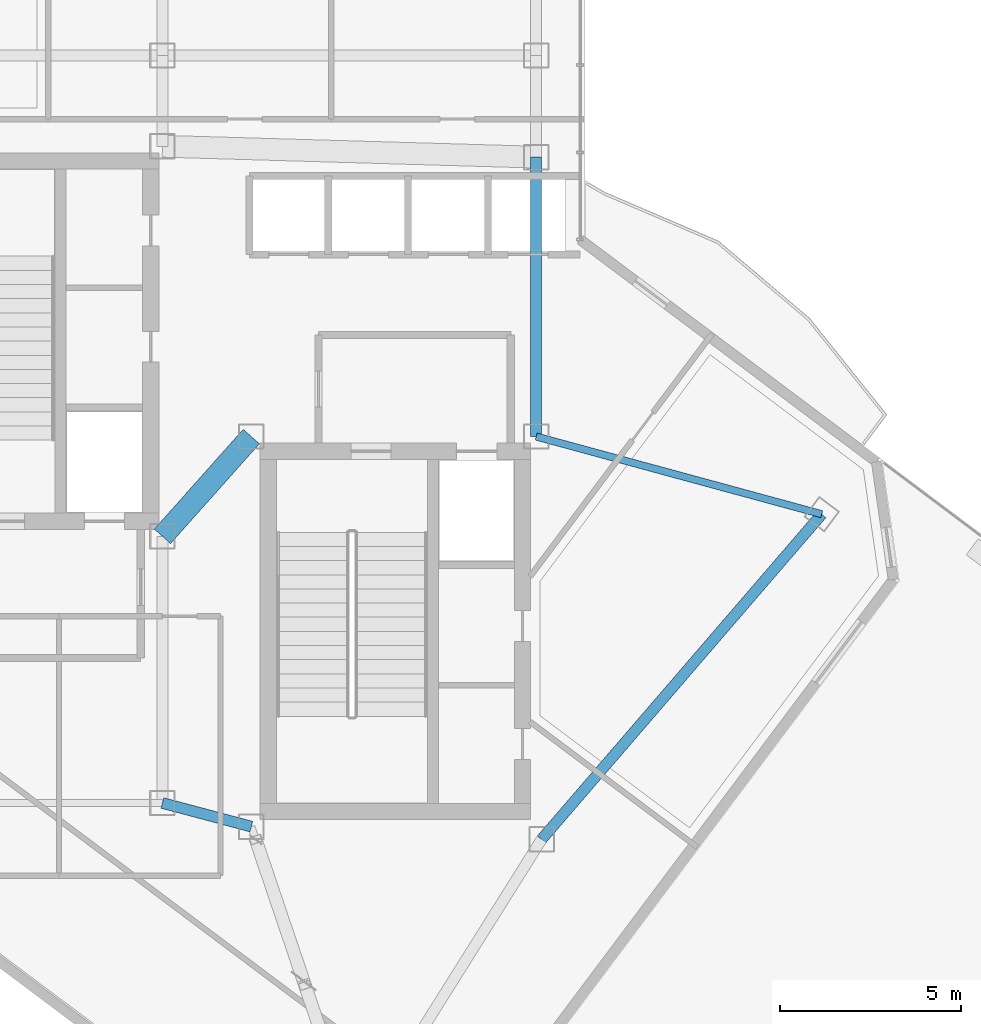
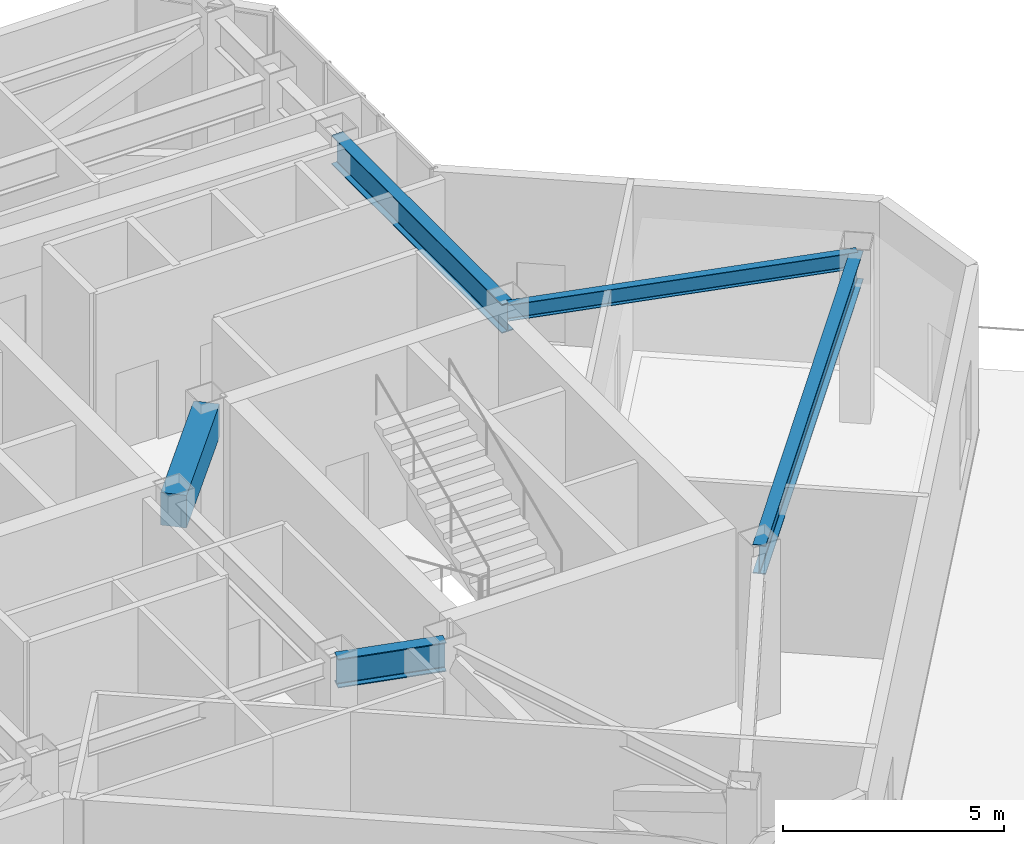
# One storey, part 9 of 21: 5 beams.
"""IFC4 building model written with IfcOpenShell, lengths in metres."""

from ifc_helpers import new_model, si_unit, direction, frame, origin, origin_2d, place, context, subcontext, project, spatial, rectangle, i_section, extrude, material, material_profile, profile_set, type_object, element, save


model = new_model("IFC4")

# Units and contexts
model_context = context("Model", 3, precision=1e-05, world=origin(), true_north=direction((0.0, 1.0)))
body_context = subcontext(model_context, "Body", "Model", "MODEL_VIEW")
ifc_project = project(units=[si_unit("LENGTHUNIT", "METRE"), si_unit("AREAUNIT", "SQUARE_METRE"), si_unit("VOLUMEUNIT", "CUBIC_METRE"), si_unit("PLANEANGLEUNIT", "RADIAN"), si_unit("MASSUNIT", "GRAM", prefix="KILO")], contexts=[model_context])

# Site, building, storey
site_placement = place(None, origin())
site = spatial("IfcSite", under=ifc_project, at=site_placement, CompositionType="ELEMENT")
building_placement = place(site_placement, origin())
building = spatial("IfcBuilding", under=site, at=building_placement, Name="Hatsunagi Terrace Concourse", CompositionType="ELEMENT")
storey_placement = place(building_placement, frame((0.0, 0.0, 234.75)))
storey = spatial("IfcBuildingStorey", under=building, at=storey_placement, Name="L62", CompositionType="ELEMENT", Elevation=234.75)

# Beams
ifc_material_1 = material(Name="Concrete Fc42", Category="concrete")
ifc_material_profile_1 = material_profile(ifc_material_1, rectangle(XDim=0.60009765625, YDim=0.89990234375, at=origin_2d()), Name="RC-600x900")
ifc_profile_set_1 = profile_set([ifc_material_profile_1], Name="Concrete Fc42")
beam_type_1 = type_object("IfcBeamType", Name="CoreCouplingBeam_RC_600x900", PredefinedType="BEAM", material=ifc_profile_set_1)
beam_1_placement = place(storey_placement, frame((33.35009765625, 32.550048828125, 4.10009765625), z_axis=(0.665198651008, 0.746666427997, 0.0), x_axis=(-0.746666427997, 0.665198651008, 0.0)))
element("IfcBeam", 1, at=beam_1_placement, inside=storey, type_object=beam_type_1, Name="Beam CB-03 CB-L62-1", PredefinedType="BEAM", context=body_context, shape_type="SweptSolid", body=[
    extrude(rectangle(XDim=0.60009765625, YDim=0.89990234375, at=origin_2d()), origin(), (0.0, 0.0, 1.0), 3.68310546875),
])
ifc_material_2 = material(Name="Steel SN490B", Category="steel")
ifc_material_profile_2 = material_profile(ifc_material_2, i_section(OverallWidth=0.199951171875, OverallDepth=0.449951171875, WebThickness=0.009033203125, FlangeThickness=0.013916015625, FilletRadius=0.01611328125, at=origin_2d()), Name="H-450x200x9x14")
ifc_profile_set_2 = profile_set([ifc_material_profile_2], Name="Steel SN490B")
beam_type_2 = type_object("IfcBeamType", Name="PerimeterSpandrel_H_450x200", PredefinedType="SPANDREL", material=ifc_profile_set_2)
beam_2_placement = place(storey_placement, frame((43.64990234375, 35.300048828125, 4.324951171875), z_axis=(0.964958359286, -0.262403057994, 0.0), x_axis=(0.262403057994, 0.964958359286, 0.0)))
element("IfcBeam", 2, at=beam_2_placement, inside=storey, type_object=beam_type_2, Name="Beam SP-02 BM-L62-SE-NE0", PredefinedType="SPANDREL", context=body_context, shape_type="SweptSolid", body=[
    extrude(i_section(OverallWidth=0.199951171875, OverallDepth=0.449951171875, WebThickness=0.009033203125, FlangeThickness=0.013916015625, FilletRadius=0.01611328125, at=origin_2d()), origin(), (0.0, 0.0, 1.0), 8.156005859375),
])
ifc_material_3 = material(Name="Steel SN490B", Category="steel")
ifc_material_profile_3 = material_profile(ifc_material_3, i_section(OverallWidth=0.300048828125, OverallDepth=0.800048828125, WebThickness=0.013916015625, FlangeThickness=0.02587890625, FilletRadius=0.02197265625, at=origin_2d()), Name="H-800x300x14x26")
ifc_profile_set_3 = profile_set([ifc_material_profile_3], Name="Steel SN490B")
beam_type_3 = type_object("IfcBeamType", Name="SkyLobbyGirder_H_800x300", PredefinedType="BEAM", material=ifc_profile_set_3)
beam_3_placement = place(storey_placement, frame((33.35009765625, 25.199951171875, 4.14990234375), z_axis=(0.966569840116, -0.256403479262, 0.0), x_axis=(0.256403479262, 0.966569840116, 0.0)))
element("IfcBeam", 3, at=beam_3_placement, inside=storey, type_object=beam_type_3, Name="Beam G-03 BM-L62-K2CB", PredefinedType="BEAM", context=body_context, shape_type="SweptSolid", body=[
    extrude(i_section(OverallWidth=0.300048828125, OverallDepth=0.800048828125, WebThickness=0.013916015625, FlangeThickness=0.02587890625, FilletRadius=0.02197265625, at=origin_2d()), origin(), (0.0, 0.0, 1.0), 2.53466796875),
])
beam_4_placement = place(storey_placement, frame((43.64990234375, 35.300048828125, 4.14990234375), z_axis=(0.0, 1.0, 0.0), x_axis=(-1.0, 0.0, 0.0)))
element("IfcBeam", 4, at=beam_4_placement, inside=storey, type_object=beam_type_3, Name="Beam G-03 BM-L62-CBK3", PredefinedType="BEAM", context=body_context, shape_type="SweptSolid", body=[
    extrude(i_section(OverallWidth=0.300048828125, OverallDepth=0.800048828125, WebThickness=0.013916015625, FlangeThickness=0.02587890625, FilletRadius=0.02197265625, at=origin_2d()), origin(), (0.0, 0.0, 1.0), 7.699951171875),
])
beam_5_placement = place(storey_placement, frame((43.800048828125, 24.199951171875, 4.14990234375), z_axis=(0.652739101421, 0.757582777969, 0.0), x_axis=(-0.757582777969, 0.652739101421, 0.0)))
element("IfcBeam", 5, at=beam_5_placement, inside=storey, type_object=beam_type_3, Name="Beam G-03 BM-L62-SET-1B", PredefinedType="BEAM", context=body_context, shape_type="SweptSolid", body=[
    extrude(i_section(OverallWidth=0.300048828125, OverallDepth=0.800048828125, WebThickness=0.013916015625, FlangeThickness=0.02587890625, FilletRadius=0.02197265625, at=origin_2d()), origin(), (0.0, 0.0, 1.0), 11.8271484375),
])

save(model, "model.ifc")
